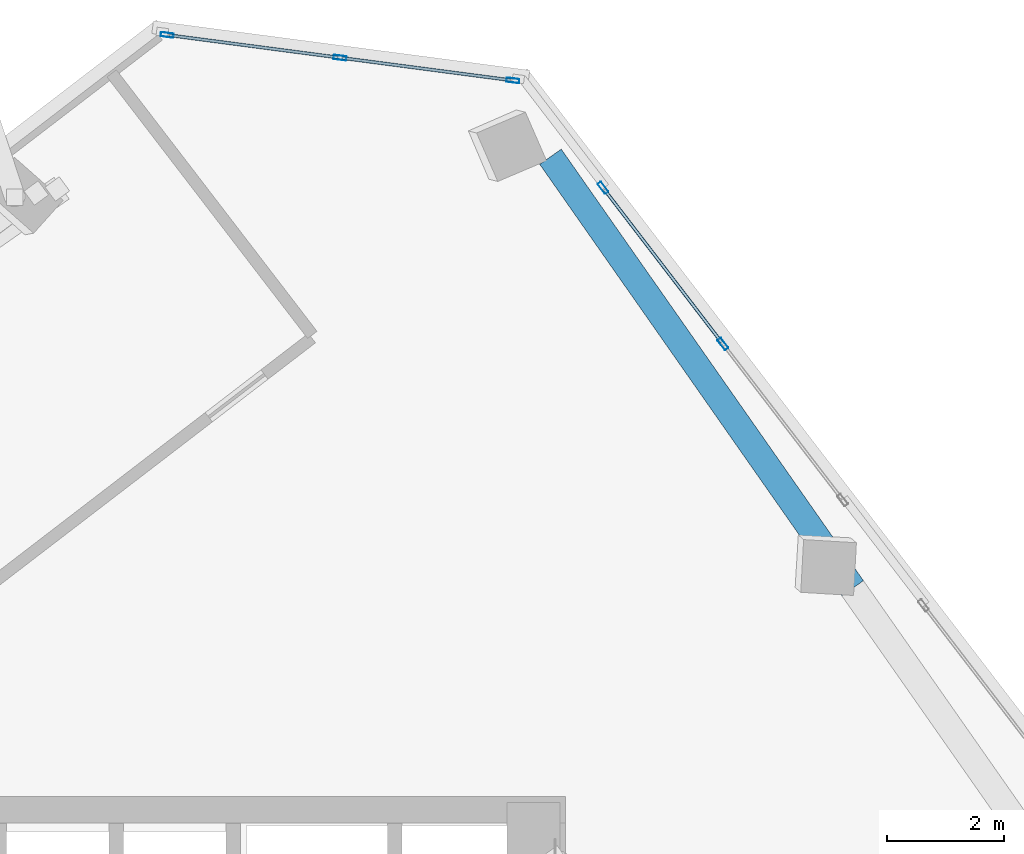
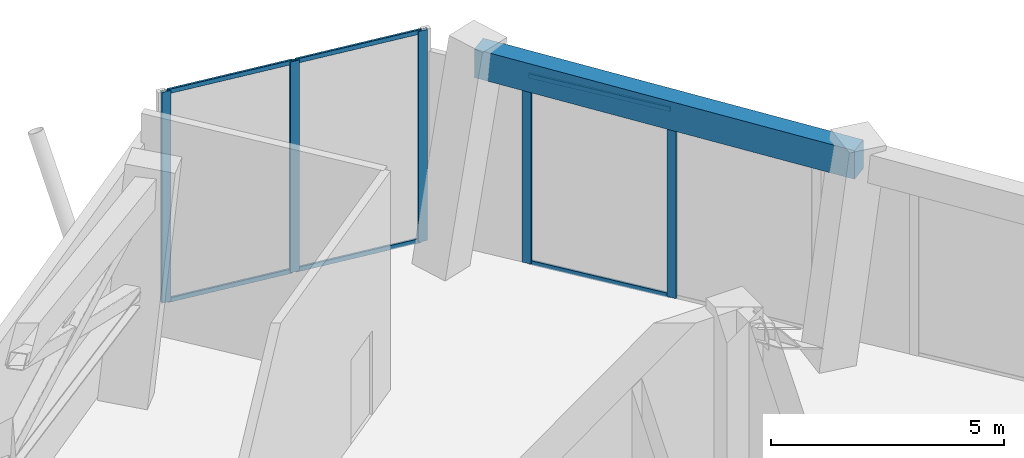
# One storey, part 11 of 19: 11 members, 1 beam, 2 elements without a shape of their own.
"""IFC4 building model written with IfcOpenShell, lengths in metres."""

from ifc_helpers import new_model, si_unit, direction, frame, origin, origin_2d, place, context, subcontext, project, spatial, rectangle, hollow_rectangle, extrude, source, transform, mapped, material, material_profile, profile_set, type_object, element, aggregate, save


model = new_model("IFC4")

# Units and contexts
model_context = context("Model", 3, precision=1e-05, world=origin(), true_north=direction((0.0, 1.0)))
body_context = subcontext(model_context, "Body", "Model", "MODEL_VIEW")
ifc_project = project(units=[si_unit("LENGTHUNIT", "METRE"), si_unit("AREAUNIT", "SQUARE_METRE"), si_unit("VOLUMEUNIT", "CUBIC_METRE"), si_unit("PLANEANGLEUNIT", "RADIAN"), si_unit("MASSUNIT", "GRAM", prefix="KILO")], contexts=[model_context])

# Site, building, storey
site_placement = place(None, origin())
site = spatial("IfcSite", under=ifc_project, at=site_placement, CompositionType="ELEMENT")
building_placement = place(site_placement, origin())
building = spatial("IfcBuilding", under=site, at=building_placement, Name="Torre Montelarca", CompositionType="ELEMENT")
storey_placement = place(building_placement, frame((0.0, 0.0, 287.800048828125)))
storey = spatial("IfcBuildingStorey", under=building, at=storey_placement, Name="L65", CompositionType="ELEMENT", Elevation=287.800048828125)

# Beam
ifc_material_1 = material(Name="Concrete C55/67", Category="concrete")
ifc_material_profile_1 = material_profile(ifc_material_1, rectangle(XDim=0.449951171875, YDim=0.75, at=origin_2d()), Name="RCB450X750", Category="concrete")
ifc_profile_set_1 = profile_set([ifc_material_profile_1], Name="Concrete C55/67")
beam_type = type_object("IfcBeamType", Name="BM-SP-RC750-EXT", PredefinedType="SPANDREL", material=ifc_profile_set_1)
shared_shape_1 = source(origin(), body_context, "Body", "SweptSolid", [
    extrude(rectangle(XDim=0.449951171875, YDim=0.75, at=origin_2d()), origin(), (0.0, 0.0, 1.0), 9.0),
])
beam_placement = place(storey_placement, frame((26.740478515625, 50.92919921875, 5.344970703125), z_axis=(0.573560650686, -0.819163097304, 0.0), x_axis=(0.819163097304, 0.573560650686, 0.0)))
element("IfcBeam", 1, at=beam_placement, inside=storey, type_object=beam_type, Name="L65 Grid Girder X 9.0-18.0 at Y=47.1", PredefinedType="SPANDREL", context=body_context, shape_type="MappedRepresentation", body=[
    mapped(shared_shape_1, transform((0.0, 0.0, 0.0), scale=1.0)),
])

# Curtain wall, members
ifc_material_2 = material(Name="Insulated low-E laminated glass", Category="glass")
curtain_wall_type = type_object("IfcCurtainWallType", Name="CW-SYS-Z3", PredefinedType="USERDEFINED", material=ifc_material_2)
curtain_wall_1_placement = place(storey_placement, origin())
curtain_wall_1 = element("IfcCurtainWall", 2, at=curtain_wall_1_placement, inside=storey, type_object=curtain_wall_type, Name="L65 Curtain Wall Run CW-T3-L65-E09-B1", ObjectType="UNITISED GLAZING", PredefinedType="USERDEFINED")
ifc_material_3 = material(Name="Anodised aluminium AA 6063-T6", Category="aluminium")
ifc_material_profile_2 = material_profile(ifc_material_3, hollow_rectangle(XDim=0.054931640625, YDim=0.1201171875, WallThickness=0.00341796875, InnerFilletRadius=0.00341796875, OuterFilletRadius=0.007080078125, at=origin_2d()), Name="ALU55X120X3.5", Category="aluminium")
ifc_profile_set_2 = profile_set([ifc_material_profile_2], Name="Anodised aluminium AA 6063-T6")
member_type_1 = type_object("IfcMemberType", Name="CWT-ALU120", PredefinedType="USERDEFINED", material=ifc_profile_set_2)
shared_shape_2 = source(origin(), body_context, "Body", "SweptSolid", [
    extrude(hollow_rectangle(XDim=0.054931640625, YDim=0.1201171875, WallThickness=0.00341796875, InnerFilletRadius=0.00341796875, OuterFilletRadius=0.007080078125, at=origin_2d()), origin(), (0.0, 0.0, 1.0), 2.903564453125),
])
member_1_placement = place(storey_placement, frame((23.107666015625, 52.62548828125, 0.02734375), z_axis=(-0.991448284318, 0.130500189743, 0.0), x_axis=(-0.130500189743, -0.991448284318, 0.0)))
member_1 = element("IfcMember", 3, at=member_1_placement, type_object=member_type_1, Name="CW transom 2.1", ObjectType="TRANSOM", PredefinedType="USERDEFINED", context=body_context, shape_type="MappedRepresentation", body=[
    mapped(shared_shape_2, transform((0.0, 0.0, 0.0), scale=1.0)),
])
member_2_placement = place(storey_placement, frame((23.107666015625, 52.62548828125, 5.492431640625), z_axis=(-0.991448284318, 0.130500189743, 0.0), x_axis=(-0.130500189743, -0.991448284318, 0.0)))
member_2 = element("IfcMember", 4, at=member_2_placement, type_object=member_type_1, Name="CW transom 2.2", ObjectType="TRANSOM", PredefinedType="USERDEFINED", context=body_context, shape_type="MappedRepresentation", body=[
    mapped(shared_shape_2, transform((0.0, 0.0, 0.0), scale=1.0)),
])
shared_shape_3 = source(origin(), body_context, "Body", "SweptSolid", [
    extrude(hollow_rectangle(XDim=0.054931640625, YDim=0.1201171875, WallThickness=0.00341796875, InnerFilletRadius=0.00341796875, OuterFilletRadius=0.007080078125, at=origin_2d()), origin(), (0.0, 0.0, 1.0), 2.90380859375),
])
member_3_placement = place(storey_placement, frame((26.06103515625, 52.23681640625, 0.02734375), z_axis=(-0.991449716135, 0.13048931135, 0.0), x_axis=(-0.13048931135, -0.991449716135, 0.0)))
member_3 = element("IfcMember", 5, at=member_3_placement, type_object=member_type_1, Name="CW transom 1.1", ObjectType="TRANSOM", PredefinedType="USERDEFINED", context=body_context, shape_type="MappedRepresentation", body=[
    mapped(shared_shape_3, transform((0.0, 0.0, 0.0), scale=1.0)),
])
member_4_placement = place(storey_placement, frame((26.06103515625, 52.23681640625, 5.492431640625), z_axis=(-0.991449716135, 0.13048931135, 0.0), x_axis=(-0.13048931135, -0.991449716135, 0.0)))
member_4 = element("IfcMember", 6, at=member_4_placement, type_object=member_type_1, Name="CW transom 1.2", ObjectType="TRANSOM", PredefinedType="USERDEFINED", context=body_context, shape_type="MappedRepresentation", body=[
    mapped(shared_shape_3, transform((0.0, 0.0, 0.0), scale=1.0)),
])
ifc_material_profile_3 = material_profile(ifc_material_3, hollow_rectangle(XDim=0.074951171875, YDim=0.219970703125, WallThickness=0.0048828125, InnerFilletRadius=0.0048828125, OuterFilletRadius=0.010009765625, at=origin_2d()), Name="ALU75X220X5", Category="aluminium")
ifc_profile_set_3 = profile_set([ifc_material_profile_3], Name="Anodised aluminium AA 6063-T6")
member_type_2 = type_object("IfcMemberType", Name="CWM-ALU220", PredefinedType="MULLION", material=ifc_profile_set_3)
shared_shape_4 = source(origin(), body_context, "Body", "SweptSolid", [
    extrude(hollow_rectangle(XDim=0.074951171875, YDim=0.219970703125, WallThickness=0.0048828125, InnerFilletRadius=0.0048828125, OuterFilletRadius=0.010009765625, at=origin_2d()), origin(), (0.0, 0.0, 1.0), 5.52001953125),
])
member_5_placement = place(storey_placement, frame((26.09814453125, 52.23193359375, 0.0), z_axis=(0.0, 0.0, 1.0), x_axis=(-0.130514118862, -0.991446450787, 0.0)))
member_5 = element("IfcMember", 7, at=member_5_placement, type_object=member_type_2, Name="CW mullion 1", PredefinedType="MULLION", context=body_context, shape_type="MappedRepresentation", body=[
    mapped(shared_shape_4, transform((0.0, 0.0, 0.0), scale=1.0)),
])
member_6_placement = place(storey_placement, frame((23.14501953125, 52.62060546875, 0.0), z_axis=(0.0, 0.0, 1.0), x_axis=(-0.130514118862, -0.991446450787, 0.0)))
member_6 = element("IfcMember", 8, at=member_6_placement, type_object=member_type_2, Name="CW mullion 2", PredefinedType="MULLION", context=body_context, shape_type="MappedRepresentation", body=[
    mapped(shared_shape_4, transform((0.0, 0.0, 0.0), scale=1.0)),
])
member_7_placement = place(storey_placement, frame((20.19189453125, 53.009521484375, 0.0), z_axis=(0.0, 0.0, 1.0), x_axis=(-0.130514118862, -0.991446450787, 0.0)))
member_7 = element("IfcMember", 9, at=member_7_placement, type_object=member_type_2, Name="CW mullion 3", PredefinedType="MULLION", context=body_context, shape_type="MappedRepresentation", body=[
    mapped(shared_shape_4, transform((0.0, 0.0, 0.0), scale=1.0)),
])
aggregate(curtain_wall_1, [member_5, member_6, member_7, member_3, member_4, member_1, member_2])

curtain_wall_2_placement = place(storey_placement, origin())
curtain_wall_2 = element("IfcCurtainWall", 10, at=curtain_wall_2_placement, inside=storey, type_object=curtain_wall_type, Name="L65 Curtain Wall Run CW-T3-L65-E08-B2", ObjectType="UNITISED GLAZING", PredefinedType="USERDEFINED")
shared_shape_5 = source(origin(), body_context, "Body", "SweptSolid", [
    extrude(hollow_rectangle(XDim=0.074951171875, YDim=0.219970703125, WallThickness=0.0048828125, InnerFilletRadius=0.0048828125, OuterFilletRadius=0.010009765625, at=origin_2d()), origin(), (0.0, 0.0, 1.0), 4.93505859375),
])
member_8_placement = place(storey_placement, frame((29.684814453125, 47.73095703125, 0.0), z_axis=(0.0, 0.0, 1.0), x_axis=(-0.79335277, -0.608762172226, 0.0)))
member_8 = element("IfcMember", 11, at=member_8_placement, type_object=member_type_2, Name="CW mullion 2", PredefinedType="MULLION", context=body_context, shape_type="MappedRepresentation", body=[
    mapped(shared_shape_5, transform((0.0, 0.0, 0.0), scale=1.0)),
])
member_9_placement = place(storey_placement, frame((27.63818359375, 50.3984375, 0.0), z_axis=(0.0, 0.0, 1.0), x_axis=(-0.79335277, -0.608762172226, 0.0)))
member_9 = element("IfcMember", 12, at=member_9_placement, type_object=member_type_2, Name="CW mullion 3", PredefinedType="MULLION", context=body_context, shape_type="MappedRepresentation", body=[
    mapped(shared_shape_5, transform((0.0, 0.0, 0.0), scale=1.0)),
])
shared_shape_6 = source(origin(), body_context, "Body", "SweptSolid", [
    extrude(hollow_rectangle(XDim=0.054931640625, YDim=0.1201171875, WallThickness=0.00341796875, InnerFilletRadius=0.00341796875, OuterFilletRadius=0.007080078125, at=origin_2d()), origin(), (0.0, 0.0, 1.0), 3.287353515625),
])
member_10_placement = place(storey_placement, frame((29.662109375, 47.7607421875, 0.02734375), z_axis=(-0.608780740044, 0.793338522039, 0.0), x_axis=(-0.793338522039, -0.608780740044, 0.0)))
member_10 = element("IfcMember", 13, at=member_10_placement, type_object=member_type_1, Name="CW transom 2.1", ObjectType="TRANSOM", PredefinedType="USERDEFINED", context=body_context, shape_type="MappedRepresentation", body=[
    mapped(shared_shape_6, transform((0.0, 0.0, 0.0), scale=1.0)),
])
member_11_placement = place(storey_placement, frame((29.662109375, 47.7607421875, 4.907470703125), z_axis=(-0.608780740044, 0.793338522039, 0.0), x_axis=(-0.793338522039, -0.608780740044, 0.0)))
member_11 = element("IfcMember", 14, at=member_11_placement, type_object=member_type_1, Name="CW transom 2.2", ObjectType="TRANSOM", PredefinedType="USERDEFINED", context=body_context, shape_type="MappedRepresentation", body=[
    mapped(shared_shape_6, transform((0.0, 0.0, 0.0), scale=1.0)),
])
aggregate(curtain_wall_2, [member_8, member_9, member_10, member_11])

save(model, "model.ifc")
